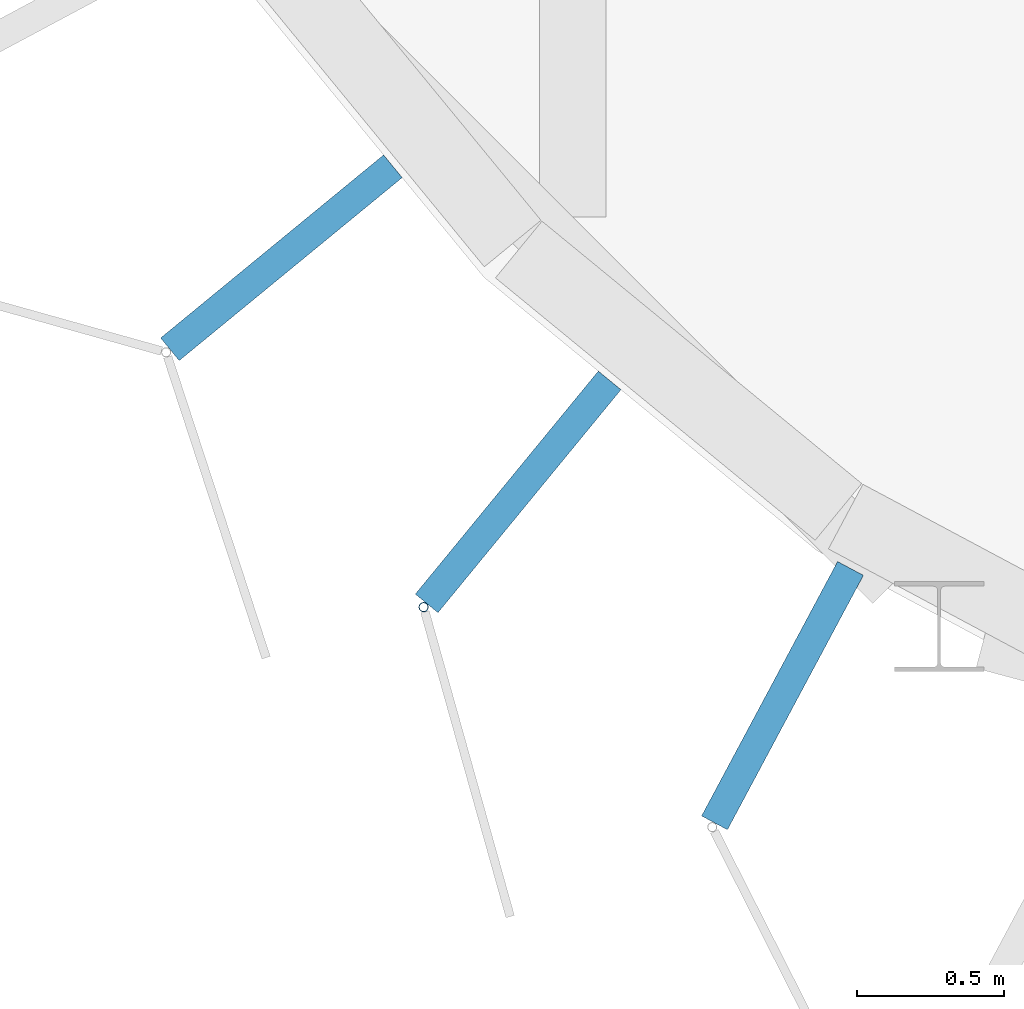
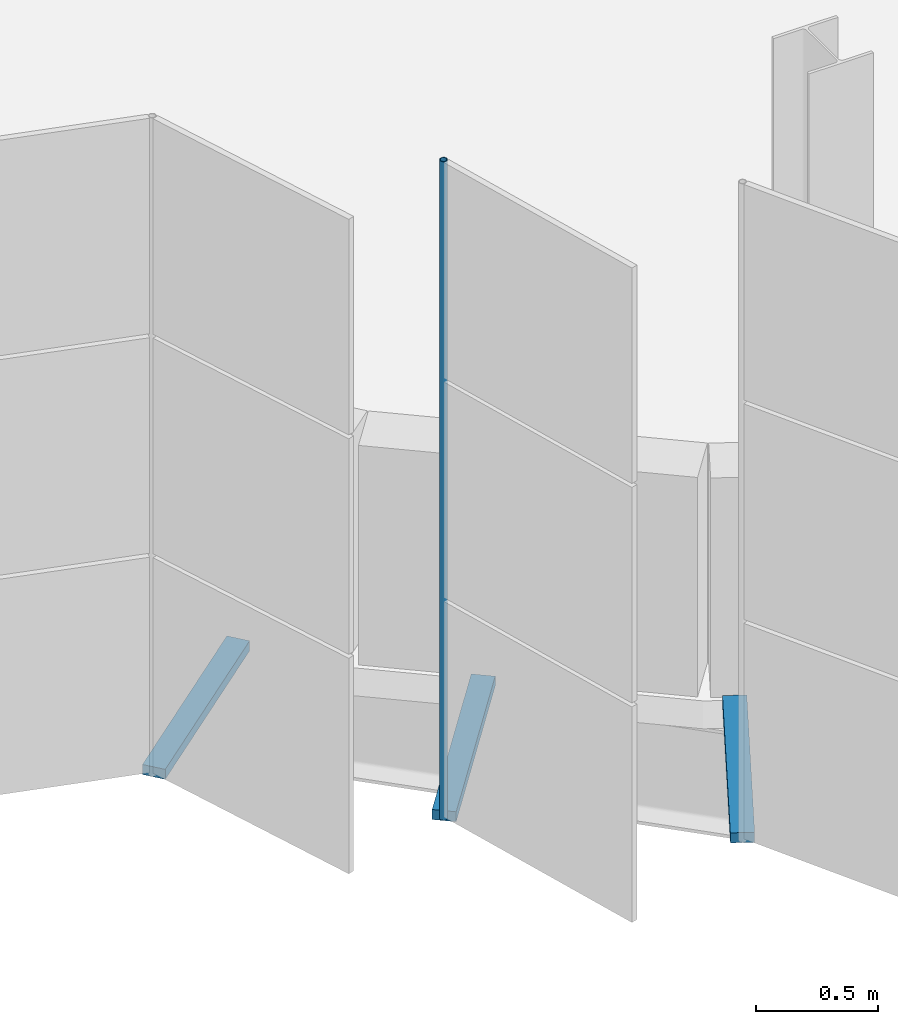
# One storey, part 70 of 199: 4 discrete accessories.
"""IFC4 building model written with IfcOpenShell, lengths in metres."""

from ifc_helpers import new_model, si_unit, direction, frame, origin, origin_2d, place, context, subcontext, project, spatial, rectangle, hollow_circle, extrude, material, material_profile, profile_set, type_object, element, save


model = new_model("IFC4")

# Units and contexts
model_context = context("Model", 3, precision=1e-05, world=origin(), true_north=direction((0.0, 1.0)))
body_context = subcontext(model_context, "Body", "Model", "MODEL_VIEW")
ifc_project = project(units=[si_unit("LENGTHUNIT", "METRE"), si_unit("AREAUNIT", "SQUARE_METRE"), si_unit("VOLUMEUNIT", "CUBIC_METRE"), si_unit("PLANEANGLEUNIT", "RADIAN"), si_unit("MASSUNIT", "GRAM", prefix="KILO")], contexts=[model_context])

# Site, building, storey
site_placement = place(None, origin())
site = spatial("IfcSite", under=ifc_project, at=site_placement, CompositionType="ELEMENT")
building_placement = place(site_placement, origin())
building = spatial("IfcBuilding", under=site, at=building_placement, Name="Parallax Yard Mobility Hub", CompositionType="ELEMENT")
storey_placement = place(building_placement, frame((0.0, 0.0, 9.89990234375)))
storey = spatial("IfcBuildingStorey", under=building, at=storey_placement, Name="L03", CompositionType="ELEMENT", Elevation=9.89990234375)

# Discrete accessories
ifc_material_1 = material(Name="Steel ASTM A36, hot-dip galvanised", Category="steel")
discrete_accessory_type_1 = type_object("IfcDiscreteAccessoryType", Name="Hinge bracket plate 100x50", PredefinedType="BRACKET", material=ifc_material_1)
for number, where, z_axis, x_axis, name in (
    (1, (24.006103515625, 114.76318359375, -0.02490234375), (0.0, 0.0, 1.0), (-0.773010453363, -0.634393284164, 0.0), "Hinge bracket plate bay 72.6 level L03"),
    (2, (24.813720703125, 113.964599609375, -0.02490234375), (0.0, 0.0, 1.0), (-0.634393284164, -0.773010453363, 0.0), "Hinge bracket plate bay 72.7 level L03"),
    (3, (25.715576171875, 113.26953125, -0.02490234375), (0.0, 0.0, 1.0), (-0.471396736826, -0.881921264348, 0.0), "Hinge bracket plate bay 72.8 level L03"),
):
    element("IfcDiscreteAccessory", number, at=place(storey_placement, frame(where, z_axis=z_axis, x_axis=x_axis)), inside=storey, type_object=discrete_accessory_type_1, Name=name, PredefinedType="BRACKET", context=body_context, shape_type="SweptSolid", body=[
        extrude(rectangle(XDim=0.984130859375, YDim=0.10009765625, at=origin_2d()), origin(), (0.0, 0.0, 1.0), 0.050048828125),
    ])
ifc_material_2 = material(Name="Steel ASTM A500 Gr C, hot-dip galvanised", Category="steel")
ifc_material_profile = material_profile(ifc_material_2, hollow_circle(Radius=0.016845703125, WallThickness=0.003173828125, at=origin_2d()), Name="CHS 33.7x3.2")
ifc_profile_set = profile_set([ifc_material_profile], Name="Steel ASTM A500 Gr C, hot-dip galvanised")
discrete_accessory_type_2 = type_object("IfcDiscreteAccessoryType", Name="Hinge post CHS 33.7x3.2", PredefinedType="BRACKET", material=ifc_profile_set)
discrete_accessory_placement = place(storey_placement, frame((24.4912109375, 113.571533203125, 0.0), z_axis=(0.0, 0.0, 1.0), x_axis=(1.0, 0.0, 0.0)))
element("IfcDiscreteAccessory", 4, at=discrete_accessory_placement, inside=storey, type_object=discrete_accessory_type_2, Name="Hinge post bay 72.7 level L03", PredefinedType="BRACKET", context=body_context, shape_type="SweptSolid", body=[
    extrude(hollow_circle(Radius=0.016845703125, WallThickness=0.003173828125, at=origin_2d()), origin(), (0.0, 0.0, 1.0), 3.300048828125),
])

save(model, "model.ifc")
